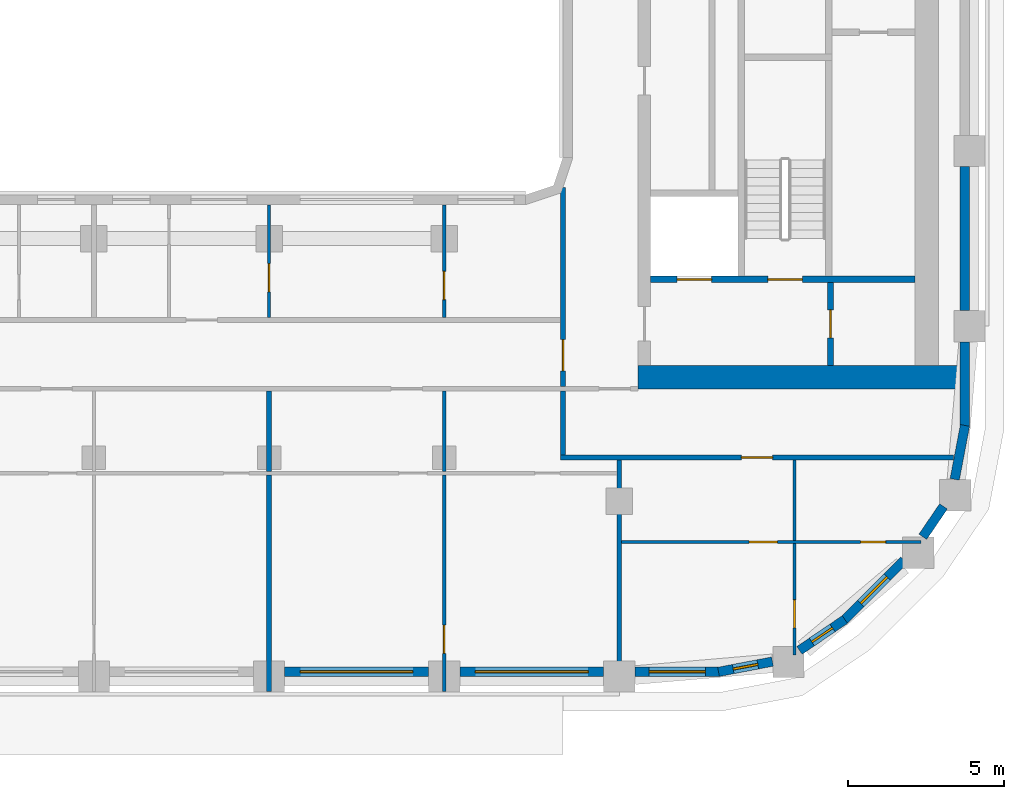
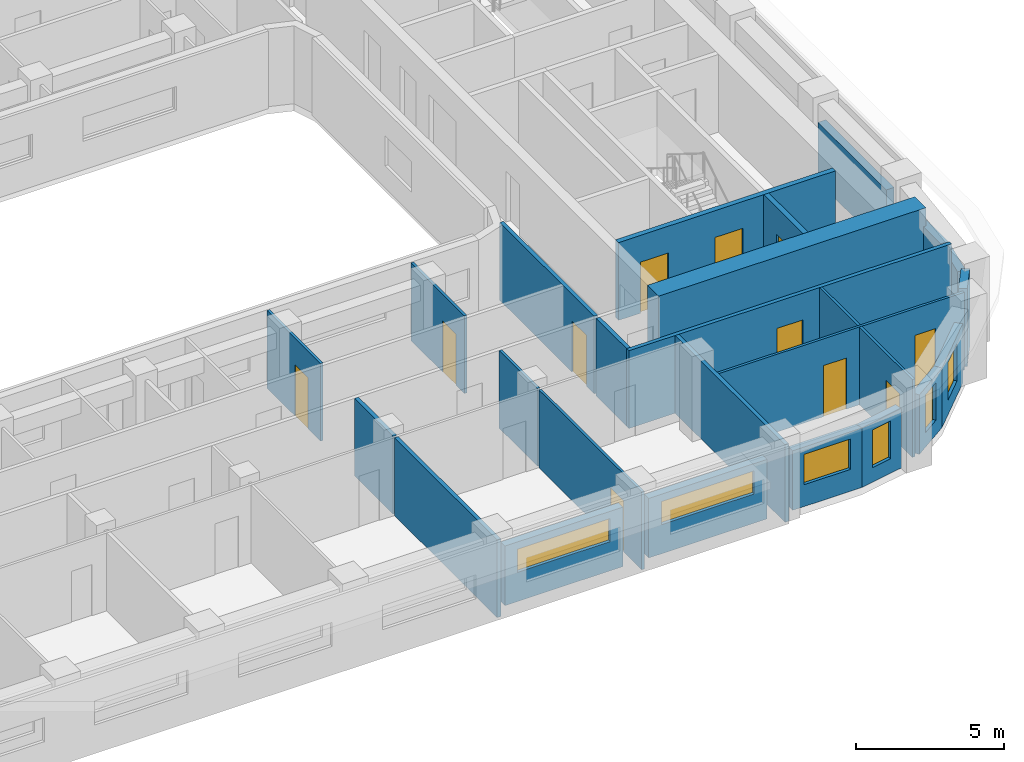
# One storey, part 5 of 22: 26 walls, 11 doors, 6 windows, 17 openings.
"""IFC4 building model written with IfcOpenShell, lengths in metres."""

from ifc_helpers import new_model, si_unit, direction, frame, frame_2d, origin, place, context, subcontext, project, spatial, rectangle, extrude, material, layer, layer_set, type_object, element, fill, save


model = new_model("IFC4")

# Units and contexts
model_context = context("Model", 3, precision=1e-05, world=origin(), true_north=direction((0.0, 1.0)))
body_context = subcontext(model_context, "Body", "Model", "MODEL_VIEW")
ifc_project = project(units=[si_unit("LENGTHUNIT", "METRE"), si_unit("AREAUNIT", "SQUARE_METRE"), si_unit("VOLUMEUNIT", "CUBIC_METRE"), si_unit("PLANEANGLEUNIT", "RADIAN"), si_unit("MASSUNIT", "GRAM", prefix="KILO")], contexts=[model_context])

# Site, building, storey
site_placement = place(None, origin())
site = spatial("IfcSite", under=ifc_project, at=site_placement, CompositionType="ELEMENT")
building_placement = place(site_placement, origin())
building = spatial("IfcBuilding", under=site, at=building_placement, Name="Kiln Ring Residences", CompositionType="ELEMENT")
storey_placement = place(building_placement, frame((0.0, 0.0, 171.10009765625)))
storey = spatial("IfcBuildingStorey", under=building, at=storey_placement, Name="L44", CompositionType="ELEMENT", Elevation=171.10009765625)

# Wall, opening, door
ifc_material_1 = material(Name="Gypsum board on steel studs", Category="steel")
ifc_layer_1 = layer(ifc_material_1, 0.199951171875)
ifc_layer_set_1 = layer_set([ifc_layer_1], Name="CORE-PARTITION-200")
wall_type_1 = type_object("IfcWallType", Name="CORE-PARTITION-200", PredefinedType="PARTITIONING", material=ifc_layer_set_1)
wall_1_placement = place(storey_placement, frame((23.550048828125, -12.449951171875, 0.0), z_axis=(0.0, 0.0, 1.0), x_axis=(0.0, 1.0, 0.0)))
wall_1 = element("IfcWall", 1, at=wall_1_placement, inside=storey, type_object=wall_type_1, Name="Core partition east L44 5", PredefinedType="PARTITIONING", context=body_context, shape_type="SweptSolid", body=[
    extrude(rectangle(XDim=2.64990234375, YDim=0.199951171875, at=frame_2d((1.324951171875, 0.0))), origin(), (0.0, 0.0, 1.0), 3.199951171875),
])
opening_1_placement = place(wall_1_placement, frame((0.875, 0.0, 0.0)))
opening_1 = element("IfcOpeningElement", 2, at=opening_1_placement, cuts=wall_1, Name="Opening L44-CE10", PredefinedType="OPENING", context=body_context, shape_type="SweptSolid", body=[
    extrude(rectangle(XDim=0.89990234375, YDim=2.10009765625, at=frame_2d((0.449951171875, 1.050048828125))), frame((0.0, 0.10986328125, 0.0), z_axis=(0.0, -1.0, 0.0), x_axis=(1.0, 0.0, 0.0)), (0.0, 0.0, 1.0), 0.219970703125),
])
ifc_material_2 = material(Name="Steel door leaf", Category="steel")
door_type_1 = type_object("IfcDoorType", Name="CORE-DOOR-ROOM", OperationType="SINGLE_SWING_LEFT", PredefinedType="DOOR", material=ifc_material_2)
door_1_placement = place(opening_1_placement, origin())
door_1 = element("IfcDoor", 3, at=door_1_placement, inside=storey, type_object=door_type_1, Name="Store L44-CE10", OperationType="SINGLE_SWING_LEFT", OverallHeight=2.10009765625, OverallWidth=0.89990234375, PredefinedType="DOOR", context=body_context, shape_type="SweptSolid", body=[
    extrude(rectangle(XDim=0.89990234375, YDim=2.10009765625, at=frame_2d((0.449951171875, 1.050048828125))), frame((0.0, 0.02490234375, 0.0), z_axis=(0.0, -1.0, 0.0), x_axis=(1.0, 0.0, 0.0)), (0.0, 0.0, 1.0), 0.050048828125),
])
fill(opening_1, door_1)

# Wall, openings, doors
ifc_material_3 = material(Name="Concrete C40/50", Category="concrete")
ifc_layer_2 = layer(ifc_material_3, 0.199951171875)
ifc_layer_set_2 = layer_set([ifc_layer_2], Name="CORE-WALL-RC200")
wall_type_2 = type_object("IfcWallType", Name="CORE-WALL-RC200", PredefinedType="SHEAR", material=ifc_layer_set_2)
wall_2_placement = place(storey_placement, frame((17.800048828125, -9.699951171875, 0.0), z_axis=(0.0, 0.0, 1.0), x_axis=(1.0, 0.0, 0.0)))
wall_2 = element("IfcWall", 4, at=wall_2_placement, inside=storey, type_object=wall_type_2, Name="Core wall east L44 8", PredefinedType="SHEAR", context=body_context, shape_type="SweptSolid", body=[
    extrude(rectangle(XDim=8.449951171875, YDim=0.199951171875, at=frame_2d((4.22509765625, 0.0))), origin(), (0.0, 0.0, 1.0), 3.199951171875),
])
opening_2_placement = place(wall_2_placement, frame((0.85009765625, 0.0, 0.0)))
opening_2 = element("IfcOpeningElement", 5, at=opening_2_placement, cuts=wall_2, Name="Opening L44-CE01", PredefinedType="OPENING", context=body_context, shape_type="SweptSolid", body=[
    extrude(rectangle(XDim=1.10009765625, YDim=2.10009765625, at=frame_2d((0.550048828125, 1.050048828125))), frame((0.0, 0.10986328125, 0.0), z_axis=(0.0, -1.0, 0.0), x_axis=(1.0, 0.0, 0.0)), (0.0, 0.0, 1.0), 0.219970703125),
])
opening_3_placement = place(wall_2_placement, frame((3.75, 0.0, 0.0)))
opening_3 = element("IfcOpeningElement", 6, at=opening_3_placement, cuts=wall_2, Name="Opening L44-CE12", PredefinedType="OPENING", context=body_context, shape_type="SweptSolid", body=[
    extrude(rectangle(XDim=1.10009765625, YDim=2.10009765625, at=frame_2d((0.550048828125, 1.050048828125))), frame((0.0, 0.10986328125, 0.0), z_axis=(0.0, -1.0, 0.0), x_axis=(1.0, 0.0, 0.0)), (0.0, 0.0, 1.0), 0.219970703125),
])
ifc_material_4 = material(Name="Steel door leaf", Category="steel")
door_type_2 = type_object("IfcDoorType", Name="CORE-DOOR-LD", OperationType="DOUBLE_DOOR_SLIDING", PredefinedType="DOOR", material=ifc_material_4)
door_2_placement = place(opening_2_placement, origin())
door_2 = element("IfcDoor", 7, at=door_2_placement, inside=storey, type_object=door_type_2, Name="LD E-SV L44-CE01", OperationType="DOUBLE_DOOR_SLIDING", OverallHeight=2.10009765625, OverallWidth=1.10009765625, PredefinedType="DOOR", context=body_context, shape_type="SweptSolid", body=[
    extrude(rectangle(XDim=1.10009765625, YDim=2.10009765625, at=frame_2d((0.550048828125, 1.050048828125))), frame((0.0, 0.02490234375, 0.0), z_axis=(0.0, -1.0, 0.0), x_axis=(1.0, 0.0, 0.0)), (0.0, 0.0, 1.0), 0.050048828125),
])
fill(opening_2, door_2)
ifc_material_5 = material(Name="Steel door leaf", Category="steel")
door_type_3 = type_object("IfcDoorType", Name="CORE-DOOR-STAIR", OperationType="SINGLE_SWING_LEFT", PredefinedType="DOOR", material=ifc_material_5)
door_3_placement = place(opening_3_placement, origin())
door_3 = element("IfcDoor", 8, at=door_3_placement, inside=storey, type_object=door_type_3, Name="Stair E-STS L44-CE12", OperationType="SINGLE_SWING_RIGHT", OverallHeight=2.10009765625, OverallWidth=1.10009765625, PredefinedType="DOOR", context=body_context, shape_type="SweptSolid", body=[
    extrude(rectangle(XDim=1.10009765625, YDim=2.10009765625, at=frame_2d((0.550048828125, 1.050048828125))), frame((0.0, 0.02490234375, 0.0), z_axis=(0.0, -1.0, 0.0), x_axis=(1.0, 0.0, 0.0)), (0.0, 0.0, 1.0), 0.050048828125),
])
fill(opening_3, door_3)

# Wall
ifc_material_6 = material(Name="Concrete C60/75", Category="concrete")
ifc_layer_3 = layer(ifc_material_6, 0.75)
ifc_layer_set_3 = layer_set([ifc_layer_3], Name="CORE-WALL-RC750")
wall_type_3 = type_object("IfcWallType", Name="CORE-WALL-RC750", PredefinedType="SHEAR", material=ifc_layer_set_3)
wall_3_placement = place(storey_placement, frame((17.39990234375, -12.824951171875, 0.0), z_axis=(0.0, 0.0, 1.0), x_axis=(1.0, 0.0, 0.0)))
element("IfcWall", 9, at=wall_3_placement, inside=storey, type_object=wall_type_3, Name="Core wall east L44 5", PredefinedType="SHEAR", context=body_context, shape_type="SweptSolid", body=[
    extrude(rectangle(XDim=10.400146484375, YDim=0.75, at=frame_2d((5.2001953125, 0.0))), origin(), (0.0, 0.0, 1.0), 3.199951171875),
])

# Wall, opening, window
ifc_material_7 = material(Name="Brick masonry, dark clay brick", Category="masonry")
ifc_layer_4 = layer(ifc_material_7, 0.300048828125)
ifc_layer_set_4 = layer_set([ifc_layer_4], Name="EW-300 BRICK WALL")
wall_type_4 = type_object("IfcWallType", Name="EW-300 BRICK WALL", PredefinedType="SOLIDWALL", material=ifc_layer_set_4)
wall_4_placement = place(storey_placement, frame((6.10009765625, -22.25, 0.0), z_axis=(0.0, 0.0, 1.0), x_axis=(1.0, 0.0, 0.0)))
wall_4 = element("IfcWall", 10, at=wall_4_placement, inside=storey, type_object=wall_type_4, Name="Facade wall L44 9", PredefinedType="SOLIDWALL", context=body_context, shape_type="SweptSolid", body=[
    extrude(rectangle(XDim=4.599853515625, YDim=0.300048828125, at=frame_2d((2.2998046875, 0.0))), origin(), (0.0, 0.0, 1.0), 2.449951171875),
])
opening_4_placement = place(wall_4_placement, frame((0.5, 0.0, 1.199951171875)))
opening_4 = element("IfcOpeningElement", 11, at=opening_4_placement, cuts=wall_4, Name="Opening W4", PredefinedType="OPENING", context=body_context, shape_type="SweptSolid", body=[
    extrude(rectangle(XDim=3.60009765625, YDim=0.949951171875, at=frame_2d((1.800048828125, 0.47509765625))), frame((0.0, 0.159912109375, 0.0), z_axis=(0.0, -1.0, 0.0), x_axis=(1.0, 0.0, 0.0)), (0.0, 0.0, 1.0), 0.320068359375),
])
ifc_material_8 = material(Name="Aluminium frame with double glazing", Category="aluminium")
window_type_1 = type_object("IfcWindowType", Name="WINDOW 3600 x 950", PartitioningType="SINGLE_PANEL", PredefinedType="WINDOW", material=ifc_material_8)
window_1_placement = place(opening_4_placement, origin())
window_1 = element("IfcWindow", 12, at=window_1_placement, inside=storey, type_object=window_type_1, Name="Window L44 8", OverallHeight=0.949951171875, OverallWidth=3.60009765625, PartitioningType="SINGLE_PANEL", PredefinedType="WINDOW", context=body_context, shape_type="SweptSolid", body=[
    extrude(rectangle(XDim=3.60009765625, YDim=0.949951171875, at=frame_2d((1.800048828125, 0.47509765625))), frame((0.0, 0.030029296875, 0.0), z_axis=(0.0, -1.0, 0.0), x_axis=(1.0, 0.0, 0.0)), (0.0, 0.0, 1.0), 0.06005859375),
])
fill(opening_4, window_1)

wall_5_placement = place(storey_placement, frame((11.699951171875, -22.25, 0.0), z_axis=(0.0, 0.0, 1.0), x_axis=(1.0, 0.0, 0.0)))
wall_5 = element("IfcWall", 13, at=wall_5_placement, inside=storey, type_object=wall_type_4, Name="Facade wall L44 10", PredefinedType="SOLIDWALL", context=body_context, shape_type="SweptSolid", body=[
    extrude(rectangle(XDim=4.60009765625, YDim=0.300048828125, at=frame_2d((2.300048828125, 0.0))), origin(), (0.0, 0.0, 1.0), 2.449951171875),
])
opening_5_placement = place(wall_5_placement, frame((0.5, 0.0, 1.199951171875)))
opening_5 = element("IfcOpeningElement", 14, at=opening_5_placement, cuts=wall_5, Name="Opening W4", PredefinedType="OPENING", context=body_context, shape_type="SweptSolid", body=[
    extrude(rectangle(XDim=3.60009765625, YDim=0.949951171875, at=frame_2d((1.800048828125, 0.47509765625))), frame((0.0, 0.159912109375, 0.0), z_axis=(0.0, -1.0, 0.0), x_axis=(1.0, 0.0, 0.0)), (0.0, 0.0, 1.0), 0.320068359375),
])
window_2_placement = place(opening_5_placement, origin())
window_2 = element("IfcWindow", 15, at=window_2_placement, inside=storey, type_object=window_type_1, Name="Window L44 9", OverallHeight=0.949951171875, OverallWidth=3.60009765625, PartitioningType="SINGLE_PANEL", PredefinedType="WINDOW", context=body_context, shape_type="SweptSolid", body=[
    extrude(rectangle(XDim=3.60009765625, YDim=0.949951171875, at=frame_2d((1.800048828125, 0.47509765625))), frame((0.0, 0.030029296875, 0.0), z_axis=(0.0, -1.0, 0.0), x_axis=(1.0, 0.0, 0.0)), (0.0, 0.0, 1.0), 0.06005859375),
])
fill(opening_5, window_2)

wall_6_placement = place(storey_placement, frame((17.300048828125, -22.25, 0.0), z_axis=(0.0, 0.0, 1.0), x_axis=(1.0, 0.0, 0.0)))
wall_6 = element("IfcWall", 16, at=wall_6_placement, inside=storey, type_object=wall_type_4, Name="Facade wall L44 11", PredefinedType="SOLIDWALL", context=body_context, shape_type="SweptSolid", body=[
    extrude(rectangle(XDim=2.699951171875, YDim=0.300048828125, at=frame_2d((1.35009765625, 0.0))), origin(), (0.0, 0.0, 1.0), 2.449951171875),
])
opening_6_placement = place(wall_6_placement, frame((0.449951171875, 0.0, 0.89990234375)))
opening_6 = element("IfcOpeningElement", 17, at=opening_6_placement, cuts=wall_6, Name="Opening W2", PredefinedType="OPENING", context=body_context, shape_type="SweptSolid", body=[
    extrude(rectangle(XDim=1.800048828125, YDim=1.25, at=frame_2d((0.89990234375, 0.625))), frame((0.0, 0.159912109375, 0.0), z_axis=(0.0, -1.0, 0.0), x_axis=(1.0, 0.0, 0.0)), (0.0, 0.0, 1.0), 0.320068359375),
])
ifc_material_9 = material(Name="Aluminium frame with double glazing", Category="aluminium")
window_type_2 = type_object("IfcWindowType", Name="WINDOW 1800 x 1250", PartitioningType="SINGLE_PANEL", PredefinedType="WINDOW", material=ifc_material_9)
window_3_placement = place(opening_6_placement, origin())
window_3 = element("IfcWindow", 18, at=window_3_placement, inside=storey, type_object=window_type_2, Name="Window L44 10", OverallHeight=1.25, OverallWidth=1.800048828125, PartitioningType="SINGLE_PANEL", PredefinedType="WINDOW", context=body_context, shape_type="SweptSolid", body=[
    extrude(rectangle(XDim=1.800048828125, YDim=1.25, at=frame_2d((0.89990234375, 0.625))), frame((0.0, 0.030029296875, 0.0), z_axis=(0.0, -1.0, 0.0), x_axis=(1.0, 0.0, 0.0)), (0.0, 0.0, 1.0), 0.06005859375),
])
fill(opening_6, window_3)

wall_7_placement = place(storey_placement, frame((19.971923828125, -22.252685546875, 0.0), z_axis=(0.0, 0.0, 1.0), x_axis=(0.982284988433, 0.187393173565, 0.0)))
wall_7 = element("IfcWall", 19, at=wall_7_placement, inside=storey, type_object=wall_type_4, Name="Facade wall L44 12", PredefinedType="SOLIDWALL", context=body_context, shape_type="SweptSolid", body=[
    extrude(rectangle(XDim=1.756103515625, YDim=0.300048828125, at=frame_2d((0.8779296875, 0.0))), origin(), (0.0, 0.0, 1.0), 2.449951171875),
])
opening_7_placement = place(wall_7_placement, frame((0.47802734375, 0.0, 0.60009765625)))
opening_7 = element("IfcOpeningElement", 20, at=opening_7_placement, cuts=wall_7, Name="Opening W5", PredefinedType="OPENING", context=body_context, shape_type="SweptSolid", body=[
    extrude(rectangle(XDim=0.800048828125, YDim=1.550048828125, at=frame_2d((0.39990234375, 0.77490234375))), frame((0.0, 0.159912109375, 0.0), z_axis=(0.0, -1.0, 0.0), x_axis=(1.0, 0.0, 0.0)), (0.0, 0.0, 1.0), 0.320068359375),
])
ifc_material_10 = material(Name="Aluminium frame with double glazing", Category="aluminium")
window_type_3 = type_object("IfcWindowType", Name="WINDOW 800 x 1550", PartitioningType="SINGLE_PANEL", PredefinedType="WINDOW", material=ifc_material_10)
window_4_placement = place(opening_7_placement, origin())
window_4 = element("IfcWindow", 21, at=window_4_placement, inside=storey, type_object=window_type_3, Name="Window L44 11", OverallHeight=1.550048828125, OverallWidth=0.800048828125, PartitioningType="SINGLE_PANEL", PredefinedType="WINDOW", context=body_context, shape_type="SweptSolid", body=[
    extrude(rectangle(XDim=0.800048828125, YDim=1.550048828125, at=frame_2d((0.39990234375, 0.77490234375))), frame((0.0, 0.030029296875, 0.0), z_axis=(0.0, -1.0, 0.0), x_axis=(1.0, 0.0, 0.0)), (0.0, 0.0, 1.0), 0.06005859375),
])
fill(opening_7, window_4)

wall_8_placement = place(storey_placement, frame((22.560302734375, -21.56591796875, 0.0), z_axis=(0.0, 0.0, 1.0), x_axis=(0.82707645233, 0.562089443061, 0.0)))
wall_8 = element("IfcWall", 22, at=wall_8_placement, inside=storey, type_object=wall_type_4, Name="Facade wall L44 13", PredefinedType="SOLIDWALL", context=body_context, shape_type="SweptSolid", body=[
    extrude(rectangle(XDim=1.756103515625, YDim=0.300048828125, at=frame_2d((0.8779296875, 0.0))), origin(), (0.0, 0.0, 1.0), 2.449951171875),
])
opening_8_placement = place(wall_8_placement, frame((0.47802734375, 0.0, 0.60009765625)))
opening_8 = element("IfcOpeningElement", 23, at=opening_8_placement, cuts=wall_8, Name="Opening W5", PredefinedType="OPENING", context=body_context, shape_type="SweptSolid", body=[
    extrude(rectangle(XDim=0.800048828125, YDim=1.550048828125, at=frame_2d((0.39990234375, 0.77490234375))), frame((0.0, 0.159912109375, 0.0), z_axis=(0.0, -1.0, 0.0), x_axis=(1.0, 0.0, 0.0)), (0.0, 0.0, 1.0), 0.320068359375),
])
window_5_placement = place(opening_8_placement, origin())
window_5 = element("IfcWindow", 24, at=window_5_placement, inside=storey, type_object=window_type_3, Name="Window L44 12", OverallHeight=1.550048828125, OverallWidth=0.800048828125, PartitioningType="SINGLE_PANEL", PredefinedType="WINDOW", context=body_context, shape_type="SweptSolid", body=[
    extrude(rectangle(XDim=0.800048828125, YDim=1.550048828125, at=frame_2d((0.39990234375, 0.77490234375))), frame((0.0, 0.030029296875, 0.0), z_axis=(0.0, -1.0, 0.0), x_axis=(1.0, 0.0, 0.0)), (0.0, 0.0, 1.0), 0.06005859375),
])
fill(opening_8, window_5)

wall_9_placement = place(storey_placement, frame((23.990966796875, -20.596923828125, 0.0), z_axis=(0.0, 0.0, 1.0), x_axis=(0.707106781187, 0.707106781187, 0.0)))
wall_9 = element("IfcWall", 25, at=wall_9_placement, inside=storey, type_object=wall_type_4, Name="Facade wall L44 14", PredefinedType="SOLIDWALL", context=body_context, shape_type="SweptSolid", body=[
    extrude(rectangle(XDim=2.699951171875, YDim=0.300048828125, at=frame_2d((1.35009765625, 0.0))), origin(), (0.0, 0.0, 1.0), 2.449951171875),
])
opening_9_placement = place(wall_9_placement, frame((0.75, 0.0, 0.60009765625)))
opening_9 = element("IfcOpeningElement", 26, at=opening_9_placement, cuts=wall_9, Name="Opening W1", PredefinedType="OPENING", context=body_context, shape_type="SweptSolid", body=[
    extrude(rectangle(XDim=1.199951171875, YDim=1.550048828125, at=frame_2d((0.60009765625, 0.77490234375))), frame((0.0, 0.159912109375, 0.0), z_axis=(0.0, -1.0, 0.0), x_axis=(1.0, 0.0, 0.0)), (0.0, 0.0, 1.0), 0.320068359375),
])
ifc_material_11 = material(Name="Aluminium frame with double glazing", Category="aluminium")
window_type_4 = type_object("IfcWindowType", Name="WINDOW 1200 x 1550", PartitioningType="SINGLE_PANEL", PredefinedType="WINDOW", material=ifc_material_11)
window_6_placement = place(opening_9_placement, origin())
window_6 = element("IfcWindow", 27, at=window_6_placement, inside=storey, type_object=window_type_4, Name="Window L44 13", OverallHeight=1.550048828125, OverallWidth=1.199951171875, PartitioningType="SINGLE_PANEL", PredefinedType="WINDOW", context=body_context, shape_type="SweptSolid", body=[
    extrude(rectangle(XDim=1.199951171875, YDim=1.550048828125, at=frame_2d((0.60009765625, 0.77490234375))), frame((0.0, 0.030029296875, 0.0), z_axis=(0.0, -1.0, 0.0), x_axis=(1.0, 0.0, 0.0)), (0.0, 0.0, 1.0), 0.06005859375),
])
fill(opening_9, window_6)

# Walls
wall_10_placement = place(storey_placement, frame((26.50439453125, -17.933837890625, 0.0), z_axis=(0.0, 0.0, 1.0), x_axis=(0.562145470373, 0.827038372833, 0.0)))
element("IfcWall", 28, at=wall_10_placement, inside=storey, type_object=wall_type_4, Name="Facade wall L44 15", PredefinedType="SOLIDWALL", context=body_context, shape_type="SweptSolid", body=[
    extrude(rectangle(XDim=1.177001953125, YDim=0.300048828125, at=frame_2d((0.58837890625, 0.0))), origin(), (0.0, 0.0, 1.0), 3.199951171875),
])
wall_11_placement = place(storey_placement, frame((27.523681640625, -16.096923828125, 0.0), z_axis=(0.0, 0.0, 1.0), x_axis=(0.187259034321, 0.982310569049, 0.0)))
element("IfcWall", 29, at=wall_11_placement, inside=storey, type_object=wall_type_4, Name="Facade wall L44 16", PredefinedType="SOLIDWALL", context=body_context, shape_type="SweptSolid", body=[
    extrude(rectangle(XDim=1.756103515625, YDim=0.300048828125, at=frame_2d((0.8779296875, 0.0))), origin(), (0.0, 0.0, 1.0), 2.449951171875),
])
wall_12_placement = place(storey_placement, frame((27.85009765625, -14.39990234375, 0.0), z_axis=(0.0, 0.0, 1.0), x_axis=(0.0, 1.0, 0.0)))
element("IfcWall", 30, at=wall_12_placement, inside=storey, type_object=wall_type_4, Name="Facade wall L44 17", PredefinedType="SOLIDWALL", context=body_context, shape_type="SweptSolid", body=[
    extrude(rectangle(XDim=2.699951171875, YDim=0.300048828125, at=frame_2d((1.35009765625, 0.0))), origin(), (0.0, 0.0, 1.0), 2.449951171875),
])
wall_13_placement = place(storey_placement, frame((27.85009765625, -10.699951171875, 0.0), z_axis=(0.0, 0.0, 1.0), x_axis=(0.0, 1.0, 0.0)))
element("IfcWall", 31, at=wall_13_placement, inside=storey, type_object=wall_type_4, Name="Facade wall L44 18", PredefinedType="SOLIDWALL", context=body_context, shape_type="SweptSolid", body=[
    extrude(rectangle(XDim=4.599853515625, YDim=0.300048828125, at=frame_2d((2.2998046875, 0.0))), origin(), (0.0, 0.0, 1.0), 2.449951171875),
])

# Wall, openings, doors
ifc_material_12 = material(Name="Gypsum board on steel studs", Category="steel")
ifc_layer_5 = layer(ifc_material_12, 0.10009765625)
ifc_layer_set_5 = layer_set([ifc_layer_5], Name="PARTITION-100")
wall_type_5 = type_object("IfcWallType", Name="PARTITION-100", PredefinedType="PARTITIONING", material=ifc_layer_set_5)
wall_14_placement = place(storey_placement, frame((16.875, -18.10009765625, 0.0), z_axis=(0.0, 0.0, 1.0), x_axis=(1.0, 0.0, 0.0)))
wall_14 = element("IfcWall", 32, at=wall_14_placement, inside=storey, type_object=wall_type_5, Name="Partition 000", PredefinedType="PARTITIONING", context=body_context, shape_type="SweptSolid", body=[
    extrude(rectangle(XDim=9.56494140625, YDim=0.10009765625, at=frame_2d((4.782470703125, 0.0))), origin(), (0.0, 0.0, 1.0), 3.199951171875),
])
opening_10_placement = place(wall_14_placement, frame((7.638916015625, 0.0, 0.0)))
opening_10 = element("IfcOpeningElement", 33, at=opening_10_placement, cuts=wall_14, Name="Opening L44-D065", PredefinedType="OPENING", context=body_context, shape_type="SweptSolid", body=[
    extrude(rectangle(XDim=0.800048828125, YDim=2.10009765625, at=frame_2d((0.39990234375, 1.050048828125))), frame((0.0, 0.06005859375, 0.0), z_axis=(0.0, -1.0, 0.0), x_axis=(1.0, 0.0, 0.0)), (0.0, 0.0, 1.0), 0.1201171875),
])
opening_11_placement = place(wall_14_placement, frame((4.074951171875, 0.0, 0.0)))
opening_11 = element("IfcOpeningElement", 34, at=opening_11_placement, cuts=wall_14, Name="Opening L44-D066", PredefinedType="OPENING", context=body_context, shape_type="SweptSolid", body=[
    extrude(rectangle(XDim=0.89990234375, YDim=2.10009765625, at=frame_2d((0.449951171875, 1.050048828125))), frame((0.0, 0.06005859375, 0.0), z_axis=(0.0, -1.0, 0.0), x_axis=(1.0, 0.0, 0.0)), (0.0, 0.0, 1.0), 0.1201171875),
])
ifc_material_13 = material(Name="Timber door leaf", Category="wood")
door_type_4 = type_object("IfcDoorType", Name="FLAT-DOOR-800-PL", OperationType="SINGLE_SWING_LEFT", PredefinedType="DOOR", material=ifc_material_13)
door_4_placement = place(opening_10_placement, origin())
door_4 = element("IfcDoor", 35, at=door_4_placement, inside=storey, type_object=door_type_4, Name="Door L44-D065", OperationType="SINGLE_SWING_LEFT", OverallHeight=2.10009765625, OverallWidth=0.800048828125, PredefinedType="DOOR", context=body_context, shape_type="SweptSolid", body=[
    extrude(rectangle(XDim=0.800048828125, YDim=2.10009765625, at=frame_2d((0.39990234375, 1.050048828125))), frame((0.0, 0.02490234375, 0.0), z_axis=(0.0, -1.0, 0.0), x_axis=(1.0, 0.0, 0.0)), (0.0, 0.0, 1.0), 0.050048828125),
])
fill(opening_10, door_4)
ifc_material_14 = material(Name="Timber door leaf", Category="wood")
door_type_5 = type_object("IfcDoorType", Name="FLAT-DOOR-900-PL", OperationType="SINGLE_SWING_LEFT", PredefinedType="DOOR", material=ifc_material_14)
door_5_placement = place(opening_11_placement, origin())
door_5 = element("IfcDoor", 36, at=door_5_placement, inside=storey, type_object=door_type_5, Name="Door L44-D066", OperationType="SINGLE_SWING_RIGHT", OverallHeight=2.10009765625, OverallWidth=0.89990234375, PredefinedType="DOOR", context=body_context, shape_type="SweptSolid", body=[
    extrude(rectangle(XDim=0.89990234375, YDim=2.10009765625, at=frame_2d((0.449951171875, 1.050048828125))), frame((0.0, 0.02490234375, 0.0), z_axis=(0.0, -1.0, 0.0), x_axis=(1.0, 0.0, 0.0)), (0.0, 0.0, 1.0), 0.050048828125),
])
fill(opening_11, door_5)

# Wall, opening, door
wall_15_placement = place(storey_placement, frame((5.60009765625, -10.925048828125, 0.0), z_axis=(0.0, 0.0, 1.0), x_axis=(0.0, 1.0, 0.0)))
wall_15 = element("IfcWall", 37, at=wall_15_placement, inside=storey, type_object=wall_type_5, Name="Partition 049", PredefinedType="PARTITIONING", context=body_context, shape_type="SweptSolid", body=[
    extrude(rectangle(XDim=3.60498046875, YDim=0.10009765625, at=frame_2d((1.802490234375, 0.0))), origin(), (0.0, 0.0, 1.0), 3.199951171875),
])
opening_12_placement = place(wall_15_placement, frame((0.825927734375, 0.0, 0.0)))
opening_12 = element("IfcOpeningElement", 38, at=opening_12_placement, cuts=wall_15, Name="Opening L44-D050", PredefinedType="OPENING", context=body_context, shape_type="SweptSolid", body=[
    extrude(rectangle(XDim=0.89990234375, YDim=2.10009765625, at=frame_2d((0.449951171875, 1.050048828125))), frame((0.0, 0.06005859375, 0.0), z_axis=(0.0, -1.0, 0.0), x_axis=(1.0, 0.0, 0.0)), (0.0, 0.0, 1.0), 0.1201171875),
])
door_6_placement = place(opening_12_placement, origin())
door_6 = element("IfcDoor", 39, at=door_6_placement, inside=storey, type_object=door_type_5, Name="Door L44-D050", OperationType="SINGLE_SWING_LEFT", OverallHeight=2.10009765625, OverallWidth=0.89990234375, PredefinedType="DOOR", context=body_context, shape_type="SweptSolid", body=[
    extrude(rectangle(XDim=0.89990234375, YDim=2.10009765625, at=frame_2d((0.449951171875, 1.050048828125))), frame((0.0, 0.02490234375, 0.0), z_axis=(0.0, -1.0, 0.0), x_axis=(1.0, 0.0, 0.0)), (0.0, 0.0, 1.0), 0.050048828125),
])
fill(opening_12, door_6)

wall_16_placement = place(storey_placement, frame((11.199951171875, -22.8798828125, 0.0), z_axis=(0.0, 0.0, 1.0), x_axis=(0.0, 1.0, 0.0)))
wall_16 = element("IfcWall", 40, at=wall_16_placement, inside=storey, type_object=wall_type_5, Name="Partition 057", PredefinedType="PARTITIONING", context=body_context, shape_type="SweptSolid", body=[
    extrude(rectangle(XDim=6.929931640625, YDim=0.10009765625, at=frame_2d((3.46484375, 0.0))), origin(), (0.0, 0.0, 1.0), 3.199951171875),
])
opening_13_placement = place(wall_16_placement, frame((1.219970703125, 0.0, 0.0)))
opening_13 = element("IfcOpeningElement", 41, at=opening_13_placement, cuts=wall_16, Name="Opening L44-D063", PredefinedType="OPENING", context=body_context, shape_type="SweptSolid", body=[
    extrude(rectangle(XDim=0.89990234375, YDim=2.10009765625, at=frame_2d((0.449951171875, 1.050048828125))), frame((0.0, 0.06005859375, 0.0), z_axis=(0.0, -1.0, 0.0), x_axis=(1.0, 0.0, 0.0)), (0.0, 0.0, 1.0), 0.1201171875),
])
door_7_placement = place(opening_13_placement, origin())
door_7 = element("IfcDoor", 42, at=door_7_placement, inside=storey, type_object=door_type_5, Name="Door L44-D063", OperationType="SINGLE_SWING_LEFT", OverallHeight=2.10009765625, OverallWidth=0.89990234375, PredefinedType="DOOR", context=body_context, shape_type="SweptSolid", body=[
    extrude(rectangle(XDim=0.89990234375, YDim=2.10009765625, at=frame_2d((0.449951171875, 1.050048828125))), frame((0.0, 0.02490234375, 0.0), z_axis=(0.0, -1.0, 0.0), x_axis=(1.0, 0.0, 0.0)), (0.0, 0.0, 1.0), 0.050048828125),
])
fill(opening_13, door_7)

# Wall
wall_17_placement = place(storey_placement, frame((11.199951171875, -15.85009765625, 0.0), z_axis=(0.0, 0.0, 1.0), x_axis=(0.0, 1.0, 0.0)))
element("IfcWall", 43, at=wall_17_placement, inside=storey, type_object=wall_type_5, Name="Partition 058", PredefinedType="PARTITIONING", context=body_context, shape_type="SweptSolid", body=[
    extrude(rectangle(XDim=2.5751953125, YDim=0.10009765625, at=frame_2d((1.28759765625, 0.0))), origin(), (0.0, 0.0, 1.0), 3.199951171875),
])

# Wall, opening, door
wall_18_placement = place(storey_placement, frame((11.199951171875, -10.925048828125, 0.0), z_axis=(0.0, 0.0, 1.0), x_axis=(0.0, 1.0, 0.0)))
wall_18 = element("IfcWall", 44, at=wall_18_placement, inside=storey, type_object=wall_type_5, Name="Partition 059", PredefinedType="PARTITIONING", context=body_context, shape_type="SweptSolid", body=[
    extrude(rectangle(XDim=3.60498046875, YDim=0.10009765625, at=frame_2d((1.802490234375, 0.0))), origin(), (0.0, 0.0, 1.0), 3.199951171875),
])
opening_14_placement = place(wall_18_placement, frame((0.575927734375, 0.0, 0.0)))
opening_14 = element("IfcOpeningElement", 45, at=opening_14_placement, cuts=wall_18, Name="Opening L44-D051", PredefinedType="OPENING", context=body_context, shape_type="SweptSolid", body=[
    extrude(rectangle(XDim=0.89990234375, YDim=2.10009765625, at=frame_2d((0.449951171875, 1.050048828125))), frame((0.0, 0.06005859375, 0.0), z_axis=(0.0, -1.0, 0.0), x_axis=(1.0, 0.0, 0.0)), (0.0, 0.0, 1.0), 0.1201171875),
])
door_8_placement = place(opening_14_placement, origin())
door_8 = element("IfcDoor", 46, at=door_8_placement, inside=storey, type_object=door_type_5, Name="Door L44-D051", OperationType="SINGLE_SWING_LEFT", OverallHeight=2.10009765625, OverallWidth=0.89990234375, PredefinedType="DOOR", context=body_context, shape_type="SweptSolid", body=[
    extrude(rectangle(XDim=0.89990234375, YDim=2.10009765625, at=frame_2d((0.449951171875, 1.050048828125))), frame((0.0, 0.02490234375, 0.0), z_axis=(0.0, -1.0, 0.0), x_axis=(1.0, 0.0, 0.0)), (0.0, 0.0, 1.0), 0.050048828125),
])
fill(opening_14, door_8)

wall_19_placement = place(storey_placement, frame((22.39990234375, -21.719970703125, 0.0), z_axis=(0.0, 0.0, 1.0), x_axis=(0.0, 1.0, 0.0)))
wall_19 = element("IfcWall", 47, at=wall_19_placement, inside=storey, type_object=wall_type_5, Name="Partition 071", PredefinedType="PARTITIONING", context=body_context, shape_type="SweptSolid", body=[
    extrude(rectangle(XDim=3.570068359375, YDim=0.10009765625, at=frame_2d((1.78515625, 0.0))), origin(), (0.0, 0.0, 1.0), 3.199951171875),
])
opening_15_placement = place(wall_19_placement, frame((0.8720703125, 0.0, 0.0)))
opening_15 = element("IfcOpeningElement", 48, at=opening_15_placement, cuts=wall_19, Name="Opening L44-D067", PredefinedType="OPENING", context=body_context, shape_type="SweptSolid", body=[
    extrude(rectangle(XDim=0.89990234375, YDim=2.10009765625, at=frame_2d((0.449951171875, 1.050048828125))), frame((0.0, 0.06005859375, 0.0), z_axis=(0.0, -1.0, 0.0), x_axis=(1.0, 0.0, 0.0)), (0.0, 0.0, 1.0), 0.1201171875),
])
door_9_placement = place(opening_15_placement, origin())
door_9 = element("IfcDoor", 49, at=door_9_placement, inside=storey, type_object=door_type_5, Name="Door L44-D067", OperationType="SINGLE_SWING_LEFT", OverallHeight=2.10009765625, OverallWidth=0.89990234375, PredefinedType="DOOR", context=body_context, shape_type="SweptSolid", body=[
    extrude(rectangle(XDim=0.89990234375, YDim=2.10009765625, at=frame_2d((0.449951171875, 1.050048828125))), frame((0.0, 0.02490234375, 0.0), z_axis=(0.0, -1.0, 0.0), x_axis=(1.0, 0.0, 0.0)), (0.0, 0.0, 1.0), 0.050048828125),
])
fill(opening_15, door_9)

# Wall
wall_20_placement = place(storey_placement, frame((22.39990234375, -18.050048828125, 0.0), z_axis=(0.0, 0.0, 1.0), x_axis=(0.0, 1.0, 0.0)))
element("IfcWall", 50, at=wall_20_placement, inside=storey, type_object=wall_type_5, Name="Partition 072", PredefinedType="PARTITIONING", context=body_context, shape_type="SweptSolid", body=[
    extrude(rectangle(XDim=2.574951171875, YDim=0.10009765625, at=frame_2d((1.28759765625, 0.0))), origin(), (0.0, 0.0, 1.0), 3.199951171875),
])

# Wall, opening, door
ifc_material_15 = material(Name="Brick masonry partition", Category="masonry")
ifc_layer_6 = layer(ifc_material_15, 0.14990234375)
ifc_layer_set_6 = layer_set([ifc_layer_6], Name="PARTITION-150-ei60")
wall_type_6 = type_object("IfcWallType", Name="PARTITION-150-ei60", PredefinedType="PARTITIONING", material=ifc_layer_set_6)
wall_21_placement = place(storey_placement, frame((14.925048828125, -15.39990234375, 0.0), z_axis=(0.0, 0.0, 1.0), x_axis=(1.0, 0.0, 0.0)))
wall_21 = element("IfcWall", 51, at=wall_21_placement, inside=storey, type_object=wall_type_6, Name="Partition 004", PredefinedType="PARTITIONING", context=body_context, shape_type="SweptSolid", body=[
    extrude(rectangle(XDim=12.558837890625, YDim=0.14990234375, at=frame_2d((6.279296875, 0.0))), origin(), (0.0, 0.0, 1.0), 3.199951171875),
])
opening_16_placement = place(wall_21_placement, frame((5.77490234375, 0.0, 0.0)))
opening_16 = element("IfcOpeningElement", 52, at=opening_16_placement, cuts=wall_21, Name="Opening L44-D064", PredefinedType="OPENING", context=body_context, shape_type="SweptSolid", body=[
    extrude(rectangle(XDim=1.0, YDim=2.10009765625, at=frame_2d((0.5, 1.050048828125))), frame((0.0, 0.0849609375, 0.0), z_axis=(0.0, -1.0, 0.0), x_axis=(1.0, 0.0, 0.0)), (0.0, 0.0, 1.0), 0.169921875),
])
ifc_material_16 = material(Name="Steel faced fire door leaf", Category="steel")
door_type_6 = type_object("IfcDoorType", Name="FLAT-DOOR-1000-FR", OperationType="SINGLE_SWING_LEFT", PredefinedType="DOOR", material=ifc_material_16)
door_10_placement = place(opening_16_placement, origin())
door_10 = element("IfcDoor", 53, at=door_10_placement, inside=storey, type_object=door_type_6, Name="Door L44-D064", OperationType="SINGLE_SWING_RIGHT", OverallHeight=2.10009765625, OverallWidth=1.0, PredefinedType="DOOR", context=body_context, shape_type="SweptSolid", body=[
    extrude(rectangle(XDim=1.0, YDim=2.10009765625, at=frame_2d((0.5, 1.050048828125))), frame((0.0, 0.02490234375, 0.0), z_axis=(0.0, -1.0, 0.0), x_axis=(1.0, 0.0, 0.0)), (0.0, 0.0, 1.0), 0.050048828125),
])
fill(opening_16, door_10)

# Walls
wall_22_placement = place(storey_placement, frame((5.60009765625, -22.8798828125, 0.0), z_axis=(0.0, 0.0, 1.0), x_axis=(0.0, 1.0, 0.0)))
element("IfcWall", 54, at=wall_22_placement, inside=storey, type_object=wall_type_6, Name="Partition 051", PredefinedType="PARTITIONING", context=body_context, shape_type="SweptSolid", body=[
    extrude(rectangle(XDim=6.929931640625, YDim=0.14990234375, at=frame_2d((3.46484375, 0.0))), origin(), (0.0, 0.0, 1.0), 3.199951171875),
])
wall_23_placement = place(storey_placement, frame((5.60009765625, -15.85009765625, 0.0), z_axis=(0.0, 0.0, 1.0), x_axis=(0.0, 1.0, 0.0)))
element("IfcWall", 55, at=wall_23_placement, inside=storey, type_object=wall_type_6, Name="Partition 052", PredefinedType="PARTITIONING", context=body_context, shape_type="SweptSolid", body=[
    extrude(rectangle(XDim=2.5751953125, YDim=0.14990234375, at=frame_2d((1.28759765625, 0.0))), origin(), (0.0, 0.0, 1.0), 3.199951171875),
])
wall_24_placement = place(storey_placement, frame((15.0, -15.324951171875, 0.0), z_axis=(0.0, 0.0, 1.0), x_axis=(0.0, 1.0, 0.0)))
element("IfcWall", 56, at=wall_24_placement, inside=storey, type_object=wall_type_6, Name="Partition 065", PredefinedType="PARTITIONING", context=body_context, shape_type="SweptSolid", body=[
    extrude(rectangle(XDim=2.050048828125, YDim=0.14990234375, at=frame_2d((1.02490234375, 0.0))), origin(), (0.0, 0.0, 1.0), 3.199951171875),
])

# Wall, opening, door
wall_25_placement = place(storey_placement, frame((15.0, -13.125, 0.0), z_axis=(0.0, 0.0, 1.0), x_axis=(0.0, 1.0, 0.0)))
wall_25 = element("IfcWall", 57, at=wall_25_placement, inside=storey, type_object=wall_type_6, Name="Partition 066", PredefinedType="PARTITIONING", context=body_context, shape_type="SweptSolid", body=[
    extrude(rectangle(XDim=6.356201171875, YDim=0.14990234375, at=frame_2d((3.17822265625, 0.0))), origin(), (0.0, 0.0, 1.0), 3.199951171875),
])
opening_17_placement = place(wall_25_placement, frame((0.49609375, 0.0, 0.0)))
opening_17 = element("IfcOpeningElement", 58, at=opening_17_placement, cuts=wall_25, Name="Opening L44-D006", PredefinedType="OPENING", context=body_context, shape_type="SweptSolid", body=[
    extrude(rectangle(XDim=1.0, YDim=2.10009765625, at=frame_2d((0.5, 1.050048828125))), frame((0.0, 0.0849609375, 0.0), z_axis=(0.0, -1.0, 0.0), x_axis=(1.0, 0.0, 0.0)), (0.0, 0.0, 1.0), 0.169921875),
])
door_11_placement = place(opening_17_placement, origin())
door_11 = element("IfcDoor", 59, at=door_11_placement, inside=storey, type_object=door_type_6, Name="Door L44-D006", OperationType="SINGLE_SWING_LEFT", OverallHeight=2.10009765625, OverallWidth=1.0, PredefinedType="DOOR", context=body_context, shape_type="SweptSolid", body=[
    extrude(rectangle(XDim=1.0, YDim=2.10009765625, at=frame_2d((0.5, 1.050048828125))), frame((0.0, 0.02490234375, 0.0), z_axis=(0.0, -1.0, 0.0), x_axis=(1.0, 0.0, 0.0)), (0.0, 0.0, 1.0), 0.050048828125),
])
fill(opening_17, door_11)

# Wall
wall_26_placement = place(storey_placement, frame((16.800048828125, -22.8798828125, 0.0), z_axis=(0.0, 0.0, 1.0), x_axis=(0.0, 1.0, 0.0)))
element("IfcWall", 60, at=wall_26_placement, inside=storey, type_object=wall_type_6, Name="Partition 069", PredefinedType="PARTITIONING", context=body_context, shape_type="SweptSolid", body=[
    extrude(rectangle(XDim=7.40478515625, YDim=0.14990234375, at=frame_2d((3.702392578125, 0.0))), origin(), (0.0, 0.0, 1.0), 3.199951171875),
])

save(model, "model.ifc")
